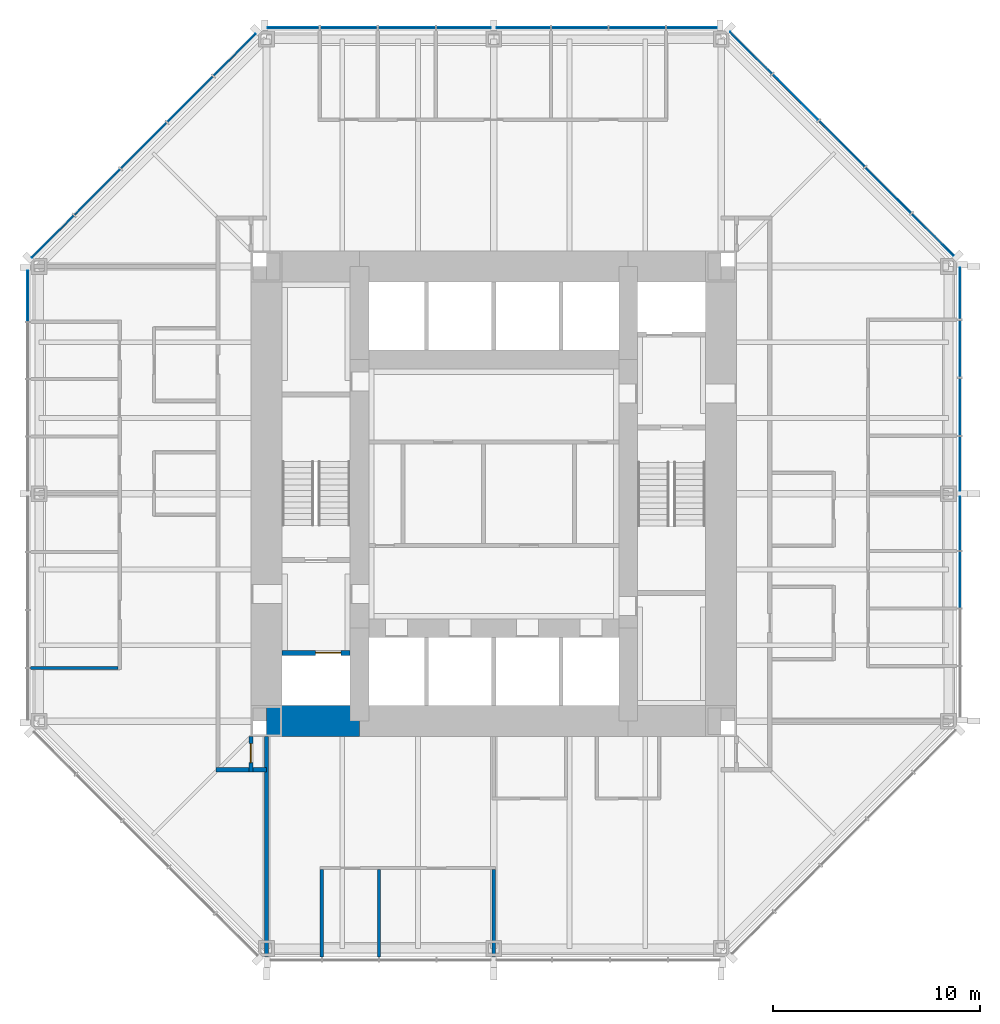
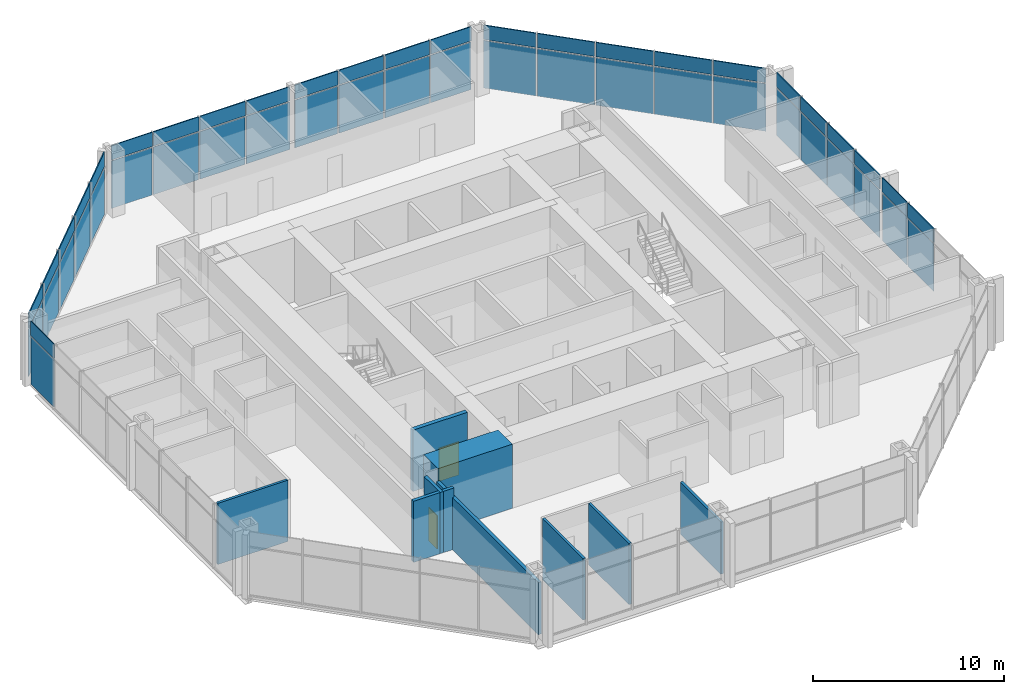
# One storey, part 8 of 12: 50 plates, 9 walls, 2 doors, 2 openings, 5 elements without a shape of their own.
"""IFC4 building model written with IfcOpenShell, lengths in metres."""

from ifc_helpers import new_model, si_unit, direction, frame, frame_2d, origin, origin_2d, place, context, subcontext, project, spatial, rectangle, extrude, material, layer, layer_set, type_object, element, fill, aggregate, save


model = new_model("IFC4")

# Units and contexts
model_context = context("Model", 3, precision=1e-05, world=origin(), true_north=direction((0.0, 1.0)))
body_context = subcontext(model_context, "Body", "Model", "MODEL_VIEW")
ifc_project = project(units=[si_unit("LENGTHUNIT", "METRE"), si_unit("AREAUNIT", "SQUARE_METRE"), si_unit("VOLUMEUNIT", "CUBIC_METRE"), si_unit("PLANEANGLEUNIT", "RADIAN"), si_unit("MASSUNIT", "GRAM", prefix="KILO")], contexts=[model_context])

# Site, building, storey
site_placement = place(None, origin())
site = spatial("IfcSite", under=ifc_project, at=site_placement, CompositionType="ELEMENT")
building_placement = place(site_placement, origin())
building = spatial("IfcBuilding", under=site, at=building_placement, Name="Trevanion Tower", CompositionType="ELEMENT")
storey_placement = place(building_placement, frame((0.0, 0.0, 121.300048828125)))
storey = spatial("IfcBuildingStorey", under=building, at=storey_placement, Name="L28", CompositionType="ELEMENT", Elevation=121.300048828125)

# Curtain wall, plates
ifc_material_1 = material(Name="Aluminium and glass", Category="aluminium")
curtain_wall_type = type_object("IfcCurtainWallType", Name="CW2 curtain wall", PredefinedType="USERDEFINED", material=ifc_material_1)
curtain_wall_1_placement = place(storey_placement, origin())
curtain_wall_1 = element("IfcCurtainWall", 1, at=curtain_wall_1_placement, inside=storey, type_object=curtain_wall_type, Name="CW2 L28 0", ObjectType="UNITISED CURTAIN WALL", PredefinedType="USERDEFINED")
ifc_material_2 = material(Name="Aluminium spandrel panel", Category="aluminium")
ifc_layer_1 = layer(ifc_material_2, 0.06005859375)
ifc_layer_set_1 = layer_set([ifc_layer_1], Name="CW2 spandrel panel")
plate_type_1 = type_object("IfcPlateType", Name="CW2 spandrel panel", PredefinedType="CURTAIN_PANEL", material=ifc_layer_set_1)
plate_1_placement = place(storey_placement, frame((22.550048828125, -4.16162109375, 2.997314453125), z_axis=(0.0, 0.0, 1.0), x_axis=(0.0, 1.0, 0.0)))
plate_1 = element("IfcPlate", 2, at=plate_1_placement, type_object=plate_type_1, Name="CW2 panel 3.2", PredefinedType="CURTAIN_PANEL", context=body_context, shape_type="SweptSolid", body=[
    extrude(rectangle(XDim=2.699462890625, YDim=0.06005859375, at=origin_2d()), origin(), (0.0, 0.0, 1.0), 0.91259765625),
])
plate_2_placement = place(storey_placement, frame((22.550048828125, -1.443603515625, 2.997314453125), z_axis=(0.0, 0.0, 1.0), x_axis=(0.0, 1.0, 0.0)))
plate_2 = element("IfcPlate", 3, at=plate_2_placement, type_object=plate_type_1, Name="CW2 panel 4.2", PredefinedType="CURTAIN_PANEL", context=body_context, shape_type="SweptSolid", body=[
    extrude(rectangle(XDim=2.5869140625, YDim=0.06005859375, at=origin_2d()), origin(), (0.0, 0.0, 1.0), 0.91259765625),
])
plate_3_placement = place(storey_placement, frame((22.550048828125, 1.459716796875, 2.997314453125), z_axis=(0.0, 0.0, 1.0), x_axis=(0.0, 1.0, 0.0)))
plate_3 = element("IfcPlate", 4, at=plate_3_placement, type_object=plate_type_1, Name="CW2 panel 5.2", PredefinedType="CURTAIN_PANEL", context=body_context, shape_type="SweptSolid", body=[
    extrude(rectangle(XDim=2.619384765625, YDim=0.06005859375, at=origin_2d()), origin(), (0.0, 0.0, 1.0), 0.91259765625),
])
plate_4_placement = place(storey_placement, frame((22.550048828125, 4.21044921875, 2.997314453125), z_axis=(0.0, 0.0, 1.0), x_axis=(0.0, 1.0, 0.0)))
plate_4 = element("IfcPlate", 5, at=plate_4_placement, type_object=plate_type_1, Name="CW2 panel 6.2", PredefinedType="CURTAIN_PANEL", context=body_context, shape_type="SweptSolid", body=[
    extrude(rectangle(XDim=2.73193359375, YDim=0.06005859375, at=origin_2d()), origin(), (0.0, 0.0, 1.0), 0.91259765625),
])
plate_5_placement = place(storey_placement, frame((22.550048828125, 7.017333984375, 2.997314453125), z_axis=(0.0, 0.0, 1.0), x_axis=(0.0, 1.0, 0.0)))
plate_5 = element("IfcPlate", 6, at=plate_5_placement, type_object=plate_type_1, Name="CW2 panel 7.2", PredefinedType="CURTAIN_PANEL", context=body_context, shape_type="SweptSolid", body=[
    extrude(rectangle(XDim=2.73193359375, YDim=0.06005859375, at=origin_2d()), origin(), (0.0, 0.0, 1.0), 0.91259765625),
])
plate_6_placement = place(storey_placement, frame((22.550048828125, 9.693115234375, 2.997314453125), z_axis=(0.0, 0.0, 1.0), x_axis=(0.0, 1.0, 0.0)))
plate_6 = element("IfcPlate", 7, at=plate_6_placement, type_object=plate_type_1, Name="CW2 panel 8.2", PredefinedType="CURTAIN_PANEL", context=body_context, shape_type="SweptSolid", body=[
    extrude(rectangle(XDim=2.469482421875, YDim=0.06005859375, at=origin_2d()), origin(), (0.0, 0.0, 1.0), 0.91259765625),
])

curtain_wall_2_placement = place(storey_placement, origin())
curtain_wall_2 = element("IfcCurtainWall", 8, at=curtain_wall_2_placement, inside=storey, type_object=curtain_wall_type, Name="CW2 L28 1", ObjectType="UNITISED CURTAIN WALL", PredefinedType="USERDEFINED")
plate_7_placement = place(storey_placement, frame((21.2421875, 12.53564453125, 2.997314453125), z_axis=(0.0, 0.0, 1.0), x_axis=(-0.707106781187, 0.707106781187, 0.0)))
plate_7 = element("IfcPlate", 9, at=plate_7_placement, type_object=plate_type_1, Name="CW2 panel 1.2", PredefinedType="CURTAIN_PANEL", context=body_context, shape_type="SweptSolid", body=[
    extrude(rectangle(XDim=2.8388671875, YDim=0.06005859375, at=origin_2d()), origin(), (0.0, 0.0, 1.0), 0.91259765625),
])
plate_8_placement = place(storey_placement, frame((19.089111328125, 14.688720703125, 2.997314453125), z_axis=(0.0, 0.0, 1.0), x_axis=(-0.707106781187, 0.707106781187, 0.0)))
plate_8 = element("IfcPlate", 10, at=plate_8_placement, type_object=plate_type_1, Name="CW2 panel 2.2", PredefinedType="CURTAIN_PANEL", context=body_context, shape_type="SweptSolid", body=[
    extrude(rectangle(XDim=3.101318359375, YDim=0.06005859375, at=origin_2d()), origin(), (0.0, 0.0, 1.0), 0.91259765625),
])
plate_9_placement = place(storey_placement, frame((16.843017578125, 16.934814453125, 2.997314453125), z_axis=(0.0, 0.0, 1.0), x_axis=(-0.707106781187, 0.707106781187, 0.0)))
plate_9 = element("IfcPlate", 11, at=plate_9_placement, type_object=plate_type_1, Name="CW2 panel 3.2", PredefinedType="CURTAIN_PANEL", context=body_context, shape_type="SweptSolid", body=[
    extrude(rectangle(XDim=3.101318359375, YDim=0.06005859375, at=origin_2d()), origin(), (0.0, 0.0, 1.0), 0.91259765625),
])
plate_10_placement = place(storey_placement, frame((14.596923828125, 19.180908203125, 2.997314453125), z_axis=(0.0, 0.0, 1.0), x_axis=(-0.707106781187, 0.707106781187, 0.0)))
plate_10 = element("IfcPlate", 12, at=plate_10_placement, type_object=plate_type_1, Name="CW2 panel 4.2", PredefinedType="CURTAIN_PANEL", context=body_context, shape_type="SweptSolid", body=[
    extrude(rectangle(XDim=3.101318359375, YDim=0.06005859375, at=origin_2d()), origin(), (0.0, 0.0, 1.0), 0.91259765625),
])
plate_11_placement = place(storey_placement, frame((12.443603515625, 21.334228515625, 2.997314453125), z_axis=(0.0, 0.0, 1.0), x_axis=(-0.707106781187, 0.707106781187, 0.0)))
plate_11 = element("IfcPlate", 13, at=plate_11_placement, type_object=plate_type_1, Name="CW2 panel 5.2", PredefinedType="CURTAIN_PANEL", context=body_context, shape_type="SweptSolid", body=[
    extrude(rectangle(XDim=2.8388671875, YDim=0.06005859375, at=origin_2d()), origin(), (0.0, 0.0, 1.0), 0.91259765625),
])

curtain_wall_3_placement = place(storey_placement, origin())
curtain_wall_3 = element("IfcCurtainWall", 14, at=curtain_wall_3_placement, inside=storey, type_object=curtain_wall_type, Name="CW2 L28 2", ObjectType="UNITISED CURTAIN WALL", PredefinedType="USERDEFINED")
plate_12_placement = place(storey_placement, frame((9.579345703125, 22.550048828125, 2.997314453125), z_axis=(0.0, 0.0, 1.0), x_axis=(-1.0, 0.0, 0.0)))
plate_12 = element("IfcPlate", 15, at=plate_12_placement, type_object=plate_type_1, Name="CW2 panel 1.2", PredefinedType="CURTAIN_PANEL", context=body_context, shape_type="SweptSolid", body=[
    extrude(rectangle(XDim=2.43701171875, YDim=0.06005859375, at=origin_2d()), origin(), (0.0, 0.0, 1.0), 0.91259765625),
])
plate_13_placement = place(storey_placement, frame((6.93603515625, 22.550048828125, 2.997314453125), z_axis=(0.0, 0.0, 1.0), x_axis=(-1.0, 0.0, 0.0)))
plate_13 = element("IfcPlate", 16, at=plate_13_placement, type_object=plate_type_1, Name="CW2 panel 2.2", PredefinedType="CURTAIN_PANEL", context=body_context, shape_type="SweptSolid", body=[
    extrude(rectangle(XDim=2.699462890625, YDim=0.06005859375, at=origin_2d()), origin(), (0.0, 0.0, 1.0), 0.91259765625),
])
plate_14_placement = place(storey_placement, frame((4.16162109375, 22.550048828125, 2.997314453125), z_axis=(0.0, 0.0, 1.0), x_axis=(-1.0, 0.0, 0.0)))
plate_14 = element("IfcPlate", 17, at=plate_14_placement, type_object=plate_type_1, Name="CW2 panel 3.2", PredefinedType="CURTAIN_PANEL", context=body_context, shape_type="SweptSolid", body=[
    extrude(rectangle(XDim=2.699462890625, YDim=0.06005859375, at=origin_2d()), origin(), (0.0, 0.0, 1.0), 0.91259765625),
])
plate_15_placement = place(storey_placement, frame((1.443603515625, 22.550048828125, 2.997314453125), z_axis=(0.0, 0.0, 1.0), x_axis=(-1.0, 0.0, 0.0)))
plate_15 = element("IfcPlate", 18, at=plate_15_placement, type_object=plate_type_1, Name="CW2 panel 4.2", PredefinedType="CURTAIN_PANEL", context=body_context, shape_type="SweptSolid", body=[
    extrude(rectangle(XDim=2.5869140625, YDim=0.06005859375, at=origin_2d()), origin(), (0.0, 0.0, 1.0), 0.91259765625),
])
plate_16_placement = place(storey_placement, frame((-1.459716796875, 22.550048828125, 2.997314453125), z_axis=(0.0, 0.0, 1.0), x_axis=(-1.0, 0.0, 0.0)))
plate_16 = element("IfcPlate", 19, at=plate_16_placement, type_object=plate_type_1, Name="CW2 panel 5.2", PredefinedType="CURTAIN_PANEL", context=body_context, shape_type="SweptSolid", body=[
    extrude(rectangle(XDim=2.619384765625, YDim=0.06005859375, at=origin_2d()), origin(), (0.0, 0.0, 1.0), 0.91259765625),
])
plate_17_placement = place(storey_placement, frame((-4.21044921875, 22.550048828125, 2.997314453125), z_axis=(0.0, 0.0, 1.0), x_axis=(-1.0, 0.0, 0.0)))
plate_17 = element("IfcPlate", 20, at=plate_17_placement, type_object=plate_type_1, Name="CW2 panel 6.2", PredefinedType="CURTAIN_PANEL", context=body_context, shape_type="SweptSolid", body=[
    extrude(rectangle(XDim=2.73193359375, YDim=0.06005859375, at=origin_2d()), origin(), (0.0, 0.0, 1.0), 0.91259765625),
])
plate_18_placement = place(storey_placement, frame((-7.017333984375, 22.550048828125, 2.997314453125), z_axis=(0.0, 0.0, 1.0), x_axis=(-1.0, 0.0, 0.0)))
plate_18 = element("IfcPlate", 21, at=plate_18_placement, type_object=plate_type_1, Name="CW2 panel 7.2", PredefinedType="CURTAIN_PANEL", context=body_context, shape_type="SweptSolid", body=[
    extrude(rectangle(XDim=2.73193359375, YDim=0.06005859375, at=origin_2d()), origin(), (0.0, 0.0, 1.0), 0.91259765625),
])
plate_19_placement = place(storey_placement, frame((-9.693115234375, 22.550048828125, 2.997314453125), z_axis=(0.0, 0.0, 1.0), x_axis=(-1.0, 0.0, 0.0)))
plate_19 = element("IfcPlate", 22, at=plate_19_placement, type_object=plate_type_1, Name="CW2 panel 8.2", PredefinedType="CURTAIN_PANEL", context=body_context, shape_type="SweptSolid", body=[
    extrude(rectangle(XDim=2.469482421875, YDim=0.06005859375, at=origin_2d()), origin(), (0.0, 0.0, 1.0), 0.91259765625),
])

curtain_wall_4_placement = place(storey_placement, origin())
curtain_wall_4 = element("IfcCurtainWall", 23, at=curtain_wall_4_placement, inside=storey, type_object=curtain_wall_type, Name="CW2 L28 3", ObjectType="UNITISED CURTAIN WALL", PredefinedType="USERDEFINED")
plate_20_placement = place(storey_placement, frame((-12.53564453125, 21.2421875, 2.997314453125), z_axis=(0.0, 0.0, 1.0), x_axis=(-0.707106781187, -0.707106781187, 0.0)))
plate_20 = element("IfcPlate", 24, at=plate_20_placement, type_object=plate_type_1, Name="CW2 panel 1.2", PredefinedType="CURTAIN_PANEL", context=body_context, shape_type="SweptSolid", body=[
    extrude(rectangle(XDim=2.8388671875, YDim=0.06005859375, at=origin_2d()), origin(), (0.0, 0.0, 1.0), 0.91259765625),
])
plate_21_placement = place(storey_placement, frame((-14.688720703125, 19.089111328125, 2.997314453125), z_axis=(0.0, 0.0, 1.0), x_axis=(-0.707106781187, -0.707106781187, 0.0)))
plate_21 = element("IfcPlate", 25, at=plate_21_placement, type_object=plate_type_1, Name="CW2 panel 2.2", PredefinedType="CURTAIN_PANEL", context=body_context, shape_type="SweptSolid", body=[
    extrude(rectangle(XDim=3.101318359375, YDim=0.06005859375, at=origin_2d()), origin(), (0.0, 0.0, 1.0), 0.91259765625),
])
plate_22_placement = place(storey_placement, frame((-16.934814453125, 16.843017578125, 2.997314453125), z_axis=(0.0, 0.0, 1.0), x_axis=(-0.707106781187, -0.707106781187, 0.0)))
plate_22 = element("IfcPlate", 26, at=plate_22_placement, type_object=plate_type_1, Name="CW2 panel 3.2", PredefinedType="CURTAIN_PANEL", context=body_context, shape_type="SweptSolid", body=[
    extrude(rectangle(XDim=3.101318359375, YDim=0.06005859375, at=origin_2d()), origin(), (0.0, 0.0, 1.0), 0.91259765625),
])
plate_23_placement = place(storey_placement, frame((-19.180908203125, 14.596923828125, 2.997314453125), z_axis=(0.0, 0.0, 1.0), x_axis=(-0.707106781187, -0.707106781187, 0.0)))
plate_23 = element("IfcPlate", 27, at=plate_23_placement, type_object=plate_type_1, Name="CW2 panel 4.2", PredefinedType="CURTAIN_PANEL", context=body_context, shape_type="SweptSolid", body=[
    extrude(rectangle(XDim=3.101318359375, YDim=0.06005859375, at=origin_2d()), origin(), (0.0, 0.0, 1.0), 0.91259765625),
])
plate_24_placement = place(storey_placement, frame((-21.334228515625, 12.443603515625, 2.997314453125), z_axis=(0.0, 0.0, 1.0), x_axis=(-0.707106781187, -0.707106781187, 0.0)))
plate_24 = element("IfcPlate", 28, at=plate_24_placement, type_object=plate_type_1, Name="CW2 panel 5.2", PredefinedType="CURTAIN_PANEL", context=body_context, shape_type="SweptSolid", body=[
    extrude(rectangle(XDim=2.8388671875, YDim=0.06005859375, at=origin_2d()), origin(), (0.0, 0.0, 1.0), 0.91259765625),
])

# Curtain wall, plate
curtain_wall_5_placement = place(storey_placement, origin())
curtain_wall_5 = element("IfcCurtainWall", 29, at=curtain_wall_5_placement, inside=storey, type_object=curtain_wall_type, Name="CW2 L28 4", ObjectType="UNITISED CURTAIN WALL", PredefinedType="USERDEFINED")
plate_25_placement = place(storey_placement, frame((-22.550048828125, 9.579345703125, 2.997314453125), z_axis=(0.0, 0.0, 1.0), x_axis=(0.0, -1.0, 0.0)))
plate_25 = element("IfcPlate", 30, at=plate_25_placement, type_object=plate_type_1, Name="CW2 panel 1.2", PredefinedType="CURTAIN_PANEL", context=body_context, shape_type="SweptSolid", body=[
    extrude(rectangle(XDim=2.43701171875, YDim=0.06005859375, at=origin_2d()), origin(), (0.0, 0.0, 1.0), 0.91259765625),
])

# Plate
ifc_material_3 = material(Name="Insulating glass unit", Category="glass")
ifc_layer_2 = layer(ifc_material_3, 0.028076171875)
ifc_layer_set_2 = layer_set([ifc_layer_2], Name="CW2 vision panel")
plate_type_2 = type_object("IfcPlateType", Name="CW2 vision panel", PredefinedType="CURTAIN_PANEL", material=ifc_layer_set_2)
plate_26_placement = place(storey_placement, frame((22.550048828125, -4.16162109375, -0.115234375), z_axis=(0.0, 0.0, 1.0), x_axis=(0.0, 1.0, 0.0)))
plate_26 = element("IfcPlate", 31, at=plate_26_placement, type_object=plate_type_2, Name="CW2 panel 3.1", PredefinedType="CURTAIN_PANEL", context=body_context, shape_type="SweptSolid", body=[
    extrude(rectangle(XDim=2.699462890625, YDim=0.028076171875, at=origin_2d()), origin(), (0.0, 0.0, 1.0), 3.03759765625),
])

plate_27_placement = place(storey_placement, frame((22.550048828125, -1.443603515625, -0.115234375), z_axis=(0.0, 0.0, 1.0), x_axis=(0.0, 1.0, 0.0)))
plate_27 = element("IfcPlate", 32, at=plate_27_placement, type_object=plate_type_2, Name="CW2 panel 4.1", PredefinedType="CURTAIN_PANEL", context=body_context, shape_type="SweptSolid", body=[
    extrude(rectangle(XDim=2.5869140625, YDim=0.028076171875, at=origin_2d()), origin(), (0.0, 0.0, 1.0), 3.03759765625),
])

plate_28_placement = place(storey_placement, frame((22.550048828125, 1.459716796875, -0.115234375), z_axis=(0.0, 0.0, 1.0), x_axis=(0.0, 1.0, 0.0)))
plate_28 = element("IfcPlate", 33, at=plate_28_placement, type_object=plate_type_2, Name="CW2 panel 5.1", PredefinedType="CURTAIN_PANEL", context=body_context, shape_type="SweptSolid", body=[
    extrude(rectangle(XDim=2.619384765625, YDim=0.028076171875, at=origin_2d()), origin(), (0.0, 0.0, 1.0), 3.03759765625),
])

plate_29_placement = place(storey_placement, frame((22.550048828125, 4.21044921875, -0.115234375), z_axis=(0.0, 0.0, 1.0), x_axis=(0.0, 1.0, 0.0)))
plate_29 = element("IfcPlate", 34, at=plate_29_placement, type_object=plate_type_2, Name="CW2 panel 6.1", PredefinedType="CURTAIN_PANEL", context=body_context, shape_type="SweptSolid", body=[
    extrude(rectangle(XDim=2.73193359375, YDim=0.028076171875, at=origin_2d()), origin(), (0.0, 0.0, 1.0), 3.03759765625),
])

plate_30_placement = place(storey_placement, frame((22.550048828125, 7.017333984375, -0.115234375), z_axis=(0.0, 0.0, 1.0), x_axis=(0.0, 1.0, 0.0)))
plate_30 = element("IfcPlate", 35, at=plate_30_placement, type_object=plate_type_2, Name="CW2 panel 7.1", PredefinedType="CURTAIN_PANEL", context=body_context, shape_type="SweptSolid", body=[
    extrude(rectangle(XDim=2.73193359375, YDim=0.028076171875, at=origin_2d()), origin(), (0.0, 0.0, 1.0), 3.03759765625),
])

plate_31_placement = place(storey_placement, frame((22.550048828125, 9.693115234375, -0.115234375), z_axis=(0.0, 0.0, 1.0), x_axis=(0.0, 1.0, 0.0)))
plate_31 = element("IfcPlate", 36, at=plate_31_placement, type_object=plate_type_2, Name="CW2 panel 8.1", PredefinedType="CURTAIN_PANEL", context=body_context, shape_type="SweptSolid", body=[
    extrude(rectangle(XDim=2.469482421875, YDim=0.028076171875, at=origin_2d()), origin(), (0.0, 0.0, 1.0), 3.03759765625),
])

aggregate(curtain_wall_1, [plate_26, plate_1, plate_27, plate_2, plate_28, plate_3, plate_29, plate_4, plate_30, plate_5, plate_31, plate_6])

plate_32_placement = place(storey_placement, frame((21.2421875, 12.53564453125, -0.115234375), z_axis=(0.0, 0.0, 1.0), x_axis=(-0.707106781187, 0.707106781187, 0.0)))
plate_32 = element("IfcPlate", 37, at=plate_32_placement, type_object=plate_type_2, Name="CW2 panel 1.1", PredefinedType="CURTAIN_PANEL", context=body_context, shape_type="SweptSolid", body=[
    extrude(rectangle(XDim=2.8388671875, YDim=0.028076171875, at=origin_2d()), origin(), (0.0, 0.0, 1.0), 3.03759765625),
])

plate_33_placement = place(storey_placement, frame((19.089111328125, 14.688720703125, -0.115234375), z_axis=(0.0, 0.0, 1.0), x_axis=(-0.707106781187, 0.707106781187, 0.0)))
plate_33 = element("IfcPlate", 38, at=plate_33_placement, type_object=plate_type_2, Name="CW2 panel 2.1", PredefinedType="CURTAIN_PANEL", context=body_context, shape_type="SweptSolid", body=[
    extrude(rectangle(XDim=3.101318359375, YDim=0.028076171875, at=origin_2d()), origin(), (0.0, 0.0, 1.0), 3.03759765625),
])

plate_34_placement = place(storey_placement, frame((16.843017578125, 16.934814453125, -0.115234375), z_axis=(0.0, 0.0, 1.0), x_axis=(-0.707106781187, 0.707106781187, 0.0)))
plate_34 = element("IfcPlate", 39, at=plate_34_placement, type_object=plate_type_2, Name="CW2 panel 3.1", PredefinedType="CURTAIN_PANEL", context=body_context, shape_type="SweptSolid", body=[
    extrude(rectangle(XDim=3.101318359375, YDim=0.028076171875, at=origin_2d()), origin(), (0.0, 0.0, 1.0), 3.03759765625),
])

plate_35_placement = place(storey_placement, frame((14.596923828125, 19.180908203125, -0.115234375), z_axis=(0.0, 0.0, 1.0), x_axis=(-0.707106781187, 0.707106781187, 0.0)))
plate_35 = element("IfcPlate", 40, at=plate_35_placement, type_object=plate_type_2, Name="CW2 panel 4.1", PredefinedType="CURTAIN_PANEL", context=body_context, shape_type="SweptSolid", body=[
    extrude(rectangle(XDim=3.101318359375, YDim=0.028076171875, at=origin_2d()), origin(), (0.0, 0.0, 1.0), 3.03759765625),
])

plate_36_placement = place(storey_placement, frame((12.443603515625, 21.334228515625, -0.115234375), z_axis=(0.0, 0.0, 1.0), x_axis=(-0.707106781187, 0.707106781187, 0.0)))
plate_36 = element("IfcPlate", 41, at=plate_36_placement, type_object=plate_type_2, Name="CW2 panel 5.1", PredefinedType="CURTAIN_PANEL", context=body_context, shape_type="SweptSolid", body=[
    extrude(rectangle(XDim=2.8388671875, YDim=0.028076171875, at=origin_2d()), origin(), (0.0, 0.0, 1.0), 3.03759765625),
])

aggregate(curtain_wall_2, [plate_32, plate_7, plate_33, plate_8, plate_34, plate_9, plate_35, plate_10, plate_36, plate_11])

plate_37_placement = place(storey_placement, frame((9.579345703125, 22.550048828125, -0.115234375), z_axis=(0.0, 0.0, 1.0), x_axis=(-1.0, 0.0, 0.0)))
plate_37 = element("IfcPlate", 42, at=plate_37_placement, type_object=plate_type_2, Name="CW2 panel 1.1", PredefinedType="CURTAIN_PANEL", context=body_context, shape_type="SweptSolid", body=[
    extrude(rectangle(XDim=2.43701171875, YDim=0.028076171875, at=origin_2d()), origin(), (0.0, 0.0, 1.0), 3.03759765625),
])

plate_38_placement = place(storey_placement, frame((6.93603515625, 22.550048828125, -0.115234375), z_axis=(0.0, 0.0, 1.0), x_axis=(-1.0, 0.0, 0.0)))
plate_38 = element("IfcPlate", 43, at=plate_38_placement, type_object=plate_type_2, Name="CW2 panel 2.1", PredefinedType="CURTAIN_PANEL", context=body_context, shape_type="SweptSolid", body=[
    extrude(rectangle(XDim=2.699462890625, YDim=0.028076171875, at=origin_2d()), origin(), (0.0, 0.0, 1.0), 3.03759765625),
])

plate_39_placement = place(storey_placement, frame((4.16162109375, 22.550048828125, -0.115234375), z_axis=(0.0, 0.0, 1.0), x_axis=(-1.0, 0.0, 0.0)))
plate_39 = element("IfcPlate", 44, at=plate_39_placement, type_object=plate_type_2, Name="CW2 panel 3.1", PredefinedType="CURTAIN_PANEL", context=body_context, shape_type="SweptSolid", body=[
    extrude(rectangle(XDim=2.699462890625, YDim=0.028076171875, at=origin_2d()), origin(), (0.0, 0.0, 1.0), 3.03759765625),
])

plate_40_placement = place(storey_placement, frame((1.443603515625, 22.550048828125, -0.115234375), z_axis=(0.0, 0.0, 1.0), x_axis=(-1.0, 0.0, 0.0)))
plate_40 = element("IfcPlate", 45, at=plate_40_placement, type_object=plate_type_2, Name="CW2 panel 4.1", PredefinedType="CURTAIN_PANEL", context=body_context, shape_type="SweptSolid", body=[
    extrude(rectangle(XDim=2.5869140625, YDim=0.028076171875, at=origin_2d()), origin(), (0.0, 0.0, 1.0), 3.03759765625),
])

plate_41_placement = place(storey_placement, frame((-1.459716796875, 22.550048828125, -0.115234375), z_axis=(0.0, 0.0, 1.0), x_axis=(-1.0, 0.0, 0.0)))
plate_41 = element("IfcPlate", 46, at=plate_41_placement, type_object=plate_type_2, Name="CW2 panel 5.1", PredefinedType="CURTAIN_PANEL", context=body_context, shape_type="SweptSolid", body=[
    extrude(rectangle(XDim=2.619384765625, YDim=0.028076171875, at=origin_2d()), origin(), (0.0, 0.0, 1.0), 3.03759765625),
])

plate_42_placement = place(storey_placement, frame((-4.21044921875, 22.550048828125, -0.115234375), z_axis=(0.0, 0.0, 1.0), x_axis=(-1.0, 0.0, 0.0)))
plate_42 = element("IfcPlate", 47, at=plate_42_placement, type_object=plate_type_2, Name="CW2 panel 6.1", PredefinedType="CURTAIN_PANEL", context=body_context, shape_type="SweptSolid", body=[
    extrude(rectangle(XDim=2.73193359375, YDim=0.028076171875, at=origin_2d()), origin(), (0.0, 0.0, 1.0), 3.03759765625),
])

plate_43_placement = place(storey_placement, frame((-7.017333984375, 22.550048828125, -0.115234375), z_axis=(0.0, 0.0, 1.0), x_axis=(-1.0, 0.0, 0.0)))
plate_43 = element("IfcPlate", 48, at=plate_43_placement, type_object=plate_type_2, Name="CW2 panel 7.1", PredefinedType="CURTAIN_PANEL", context=body_context, shape_type="SweptSolid", body=[
    extrude(rectangle(XDim=2.73193359375, YDim=0.028076171875, at=origin_2d()), origin(), (0.0, 0.0, 1.0), 3.03759765625),
])

plate_44_placement = place(storey_placement, frame((-9.693115234375, 22.550048828125, -0.115234375), z_axis=(0.0, 0.0, 1.0), x_axis=(-1.0, 0.0, 0.0)))
plate_44 = element("IfcPlate", 49, at=plate_44_placement, type_object=plate_type_2, Name="CW2 panel 8.1", PredefinedType="CURTAIN_PANEL", context=body_context, shape_type="SweptSolid", body=[
    extrude(rectangle(XDim=2.469482421875, YDim=0.028076171875, at=origin_2d()), origin(), (0.0, 0.0, 1.0), 3.03759765625),
])

aggregate(curtain_wall_3, [plate_37, plate_12, plate_38, plate_13, plate_39, plate_14, plate_40, plate_15, plate_41, plate_16, plate_42, plate_17, plate_43, plate_18, plate_44, plate_19])

plate_45_placement = place(storey_placement, frame((-12.53564453125, 21.2421875, -0.115234375), z_axis=(0.0, 0.0, 1.0), x_axis=(-0.707106781187, -0.707106781187, 0.0)))
plate_45 = element("IfcPlate", 50, at=plate_45_placement, type_object=plate_type_2, Name="CW2 panel 1.1", PredefinedType="CURTAIN_PANEL", context=body_context, shape_type="SweptSolid", body=[
    extrude(rectangle(XDim=2.8388671875, YDim=0.028076171875, at=origin_2d()), origin(), (0.0, 0.0, 1.0), 3.03759765625),
])

plate_46_placement = place(storey_placement, frame((-14.688720703125, 19.089111328125, -0.115234375), z_axis=(0.0, 0.0, 1.0), x_axis=(-0.707106781187, -0.707106781187, 0.0)))
plate_46 = element("IfcPlate", 51, at=plate_46_placement, type_object=plate_type_2, Name="CW2 panel 2.1", PredefinedType="CURTAIN_PANEL", context=body_context, shape_type="SweptSolid", body=[
    extrude(rectangle(XDim=3.101318359375, YDim=0.028076171875, at=origin_2d()), origin(), (0.0, 0.0, 1.0), 3.03759765625),
])

plate_47_placement = place(storey_placement, frame((-16.934814453125, 16.843017578125, -0.115234375), z_axis=(0.0, 0.0, 1.0), x_axis=(-0.707106781187, -0.707106781187, 0.0)))
plate_47 = element("IfcPlate", 52, at=plate_47_placement, type_object=plate_type_2, Name="CW2 panel 3.1", PredefinedType="CURTAIN_PANEL", context=body_context, shape_type="SweptSolid", body=[
    extrude(rectangle(XDim=3.101318359375, YDim=0.028076171875, at=origin_2d()), origin(), (0.0, 0.0, 1.0), 3.03759765625),
])

plate_48_placement = place(storey_placement, frame((-19.180908203125, 14.596923828125, -0.115234375), z_axis=(0.0, 0.0, 1.0), x_axis=(-0.707106781187, -0.707106781187, 0.0)))
plate_48 = element("IfcPlate", 53, at=plate_48_placement, type_object=plate_type_2, Name="CW2 panel 4.1", PredefinedType="CURTAIN_PANEL", context=body_context, shape_type="SweptSolid", body=[
    extrude(rectangle(XDim=3.101318359375, YDim=0.028076171875, at=origin_2d()), origin(), (0.0, 0.0, 1.0), 3.03759765625),
])

plate_49_placement = place(storey_placement, frame((-21.334228515625, 12.443603515625, -0.115234375), z_axis=(0.0, 0.0, 1.0), x_axis=(-0.707106781187, -0.707106781187, 0.0)))
plate_49 = element("IfcPlate", 54, at=plate_49_placement, type_object=plate_type_2, Name="CW2 panel 5.1", PredefinedType="CURTAIN_PANEL", context=body_context, shape_type="SweptSolid", body=[
    extrude(rectangle(XDim=2.8388671875, YDim=0.028076171875, at=origin_2d()), origin(), (0.0, 0.0, 1.0), 3.03759765625),
])

aggregate(curtain_wall_4, [plate_45, plate_20, plate_46, plate_21, plate_47, plate_22, plate_48, plate_23, plate_49, plate_24])

plate_50_placement = place(storey_placement, frame((-22.550048828125, 9.579345703125, -0.115234375), z_axis=(0.0, 0.0, 1.0), x_axis=(0.0, -1.0, 0.0)))
plate_50 = element("IfcPlate", 55, at=plate_50_placement, type_object=plate_type_2, Name="CW2 panel 1.1", PredefinedType="CURTAIN_PANEL", context=body_context, shape_type="SweptSolid", body=[
    extrude(rectangle(XDim=2.43701171875, YDim=0.028076171875, at=origin_2d()), origin(), (0.0, 0.0, 1.0), 3.03759765625),
])

aggregate(curtain_wall_5, [plate_50, plate_25])

# Walls
ifc_material_4 = material(Name="Concrete 10,000 psi", Category="concrete")
ifc_layer_3 = layer(ifc_material_4, 1.5)
ifc_layer_set_3 = layer_set([ifc_layer_3], Name="CW1 core wall 1500")
wall_type_1 = type_object("IfcWallType", Name="CW1 core wall 1500", PredefinedType="SHEAR", material=ifc_layer_set_3)
wall_1_placement = place(storey_placement, frame((-11.0, -11.0, 0.0), z_axis=(0.0, 0.0, 1.0), x_axis=(1.0, 0.0, 0.0)))
element("IfcWall", 56, at=wall_1_placement, inside=storey, type_object=wall_type_1, Name="CW1 CS1 L28", PredefinedType="SHEAR", context=body_context, shape_type="SweptSolid", body=[
    extrude(rectangle(XDim=4.5, YDim=1.5, at=frame_2d((2.25, 0.0))), origin(), (0.0, 0.0, 1.0), 4.099853515625),
])
ifc_material_5 = material(Name="Gypsum board on steel studs", Category="steel")
ifc_layer_4 = layer(ifc_material_5, 0.14990234375)
ifc_layer_set_4 = layer_set([ifc_layer_4], Name="PT1 partition 150")
wall_type_2 = type_object("IfcWallType", Name="PT1 partition 150", PredefinedType="PARTITIONING", material=ifc_layer_set_4)
for number, where, z_axis, x_axis, name in (
    (57, (-18.175048828125, -8.4208984375, 0.0), (0.0, 0.0, 1.0), (-1.0, 0.0, 0.0), "PT1 L28 FC2S6"),
    (58, (-8.322998046875, -18.175048828125, 0.0), (0.0, 0.0, 1.0), (0.0, -1.0, 0.0), "PT1 L28 FC3S0"),
    (59, (-5.549072265625, -18.175048828125, 0.0), (0.0, 0.0, 1.0), (0.0, -1.0, 0.0), "PT1 L28 FC3S1"),
):
    element("IfcWall", number, at=place(storey_placement, frame(where, z_axis=z_axis, x_axis=x_axis)), inside=storey, type_object=wall_type_2, Name=name, PredefinedType="PARTITIONING", context=body_context, shape_type="SweptSolid", body=[
        extrude(rectangle(XDim=4.239990234375, YDim=0.14990234375, at=frame_2d((2.1201171875, 0.0))), origin(), (0.0, 0.0, 1.0), 3.909912109375),
    ])
wall_2_placement = place(storey_placement, frame((0.0, -18.175048828125, 0.0), z_axis=(0.0, 0.0, 1.0), x_axis=(0.0, -1.0, 0.0)))
element("IfcWall", 60, at=wall_2_placement, inside=storey, type_object=wall_type_2, Name="PT1 L28 FC3S3", PredefinedType="PARTITIONING", context=body_context, shape_type="SweptSolid", body=[
    extrude(rectangle(XDim=4.239990234375, YDim=0.14990234375, at=frame_2d((2.1201171875, 0.0))), origin(), (0.0, 0.0, 1.0), 3.32568359375),
])

# Wall, opening, door
ifc_material_6 = material(Name="Concrete masonry, grouted", Category="masonry")
ifc_layer_5 = layer(ifc_material_6, 0.199951171875)
ifc_layer_set_5 = layer_set([ifc_layer_5], Name="PT2 partition 200 1 HR")
wall_type_3 = type_object("IfcWallType", Name="PT2 partition 200 1 HR", PredefinedType="PARTITIONING", material=ifc_layer_set_5)
wall_3_placement = place(storey_placement, frame((-11.75, -11.75, 0.0), z_axis=(0.0, 0.0, 1.0), x_axis=(0.0, -1.0, 0.0)))
wall_3 = element("IfcWall", 61, at=wall_3_placement, inside=storey, type_object=wall_type_3, Name="PT2 L28 OUSW1", PredefinedType="PARTITIONING", context=body_context, shape_type="SweptSolid", body=[
    extrude(rectangle(XDim=1.699951171875, YDim=0.199951171875, at=frame_2d((0.85009765625, 0.0))), origin(), (0.0, 0.0, 1.0), 3.909912109375),
])
opening_1_placement = place(wall_3_placement, frame((0.342529296875, 0.0, 0.0)))
opening_1 = element("IfcOpeningElement", 62, at=opening_1_placement, cuts=wall_3, Name="Opening 28-022", PredefinedType="OPENING", context=body_context, shape_type="SweptSolid", body=[
    extrude(rectangle(XDim=0.9150390625, YDim=2.134033203125, at=frame_2d((0.45751953125, 1.06689453125))), frame((0.0, 0.10986328125, 0.0), z_axis=(0.0, -1.0, 0.0), x_axis=(1.0, 0.0, 0.0)), (0.0, 0.0, 1.0), 0.219970703125),
])
ifc_material_7 = material(Name="Timber veneer, fire rated", Category="wood")
door_type_1 = type_object("IfcDoorType", Name="D10 office door in a one hour wall", OperationType="SINGLE_SWING_LEFT", PredefinedType="DOOR", material=ifc_material_7)
door_1_placement = place(opening_1_placement, frame((0.9150390625, 0.0, 0.0), z_axis=(0.0, 0.0, 1.0), x_axis=(-1.0, 0.0, 0.0)))
door_1 = element("IfcDoor", 63, at=door_1_placement, inside=storey, type_object=door_type_1, Name="Door 28-022", OperationType="SINGLE_SWING_LEFT", OverallHeight=2.134033203125, OverallWidth=0.9150390625, PredefinedType="DOOR", context=body_context, shape_type="SweptSolid", body=[
    extrude(rectangle(XDim=0.9150390625, YDim=2.134033203125, at=frame_2d((0.45751953125, 1.06689453125))), frame((0.0, 0.02490234375, 0.0), z_axis=(0.0, -1.0, 0.0), x_axis=(1.0, 0.0, 0.0)), (0.0, 0.0, 1.0), 0.050048828125),
])
fill(opening_1, door_1)

# Walls
wall_4_placement = place(storey_placement, frame((-11.0, -13.35009765625, 0.0), z_axis=(0.0, 0.0, 1.0), x_axis=(-1.0, 0.0, 0.0)))
element("IfcWall", 64, at=wall_4_placement, inside=storey, type_object=wall_type_3, Name="PT2 L28 OUSW2", PredefinedType="PARTITIONING", context=body_context, shape_type="SweptSolid", body=[
    extrude(rectangle(XDim=2.449951171875, YDim=0.199951171875, at=frame_2d((1.22509765625, 0.0))), origin(), (0.0, 0.0, 1.0), 3.909912109375),
])
wall_5_placement = place(storey_placement, frame((-11.0, -11.75, 0.0), z_axis=(0.0, 0.0, 1.0), x_axis=(0.0, -1.0, 0.0)))
element("IfcWall", 65, at=wall_5_placement, inside=storey, type_object=wall_type_3, Name="PT2 L28 DM2", PredefinedType="PARTITIONING", context=body_context, shape_type="SweptSolid", body=[
    extrude(rectangle(XDim=10.6650390625, YDim=0.199951171875, at=frame_2d((5.33251953125, 0.0))), origin(), (0.0, 0.0, 1.0), 3.32568359375),
])

# Wall, opening, door
ifc_material_8 = material(Name="Concrete masonry, grouted, two-hour", Category="masonry")
ifc_layer_6 = layer(ifc_material_8, 0.25)
ifc_layer_set_6 = layer_set([ifc_layer_6], Name="PT3 partition 250 2 HR")
wall_type_4 = type_object("IfcWallType", Name="PT3 partition 250 2 HR", PredefinedType="PARTITIONING", material=ifc_layer_set_6)
wall_6_placement = place(storey_placement, frame((-6.949951171875, -7.699951171875, 0.0), z_axis=(0.0, 0.0, 1.0), x_axis=(-1.0, 0.0, 0.0)))
wall_6 = element("IfcWall", 66, at=wall_6_placement, inside=storey, type_object=wall_type_4, Name="PT3 L28 WP3", PredefinedType="PARTITIONING", context=body_context, shape_type="SweptSolid", body=[
    extrude(rectangle(XDim=3.300048828125, YDim=0.25, at=frame_2d((1.64990234375, 0.0))), origin(), (0.0, 0.0, 1.0), 3.909912109375),
])
opening_2_placement = place(wall_6_placement, frame((0.449951171875, 0.0, 0.0)))
opening_2 = element("IfcOpeningElement", 67, at=opening_2_placement, cuts=wall_6, Name="Opening 28-008", PredefinedType="OPENING", context=body_context, shape_type="SweptSolid", body=[
    extrude(rectangle(XDim=1.218994140625, YDim=2.134033203125, at=frame_2d((0.609375, 1.06689453125))), frame((0.0, 0.135009765625, 0.0), z_axis=(0.0, -1.0, 0.0), x_axis=(1.0, 0.0, 0.0)), (0.0, 0.0, 1.0), 0.27001953125),
])
ifc_material_9 = material(Name="Stainless steel, fire rated", Category="steel")
door_type_2 = type_object("IfcDoorType", Name="LD2 fire service lift landing door", OperationType="SLIDING_TO_LEFT", PredefinedType="DOOR", material=ifc_material_9)
door_2_placement = place(opening_2_placement, origin())
door_2 = element("IfcDoor", 68, at=door_2_placement, inside=storey, type_object=door_type_2, Name="Door 28-008", OperationType="SLIDING_TO_LEFT", OverallHeight=2.134033203125, OverallWidth=1.218994140625, PredefinedType="DOOR", context=body_context, shape_type="SweptSolid", body=[
    extrude(rectangle(XDim=1.218994140625, YDim=2.134033203125, at=frame_2d((0.609375, 1.06689453125))), frame((0.0, 0.02490234375, 0.0), z_axis=(0.0, -1.0, 0.0), x_axis=(1.0, 0.0, 0.0)), (0.0, 0.0, 1.0), 0.050048828125),
])
fill(opening_2, door_2)

save(model, "model.ifc")
